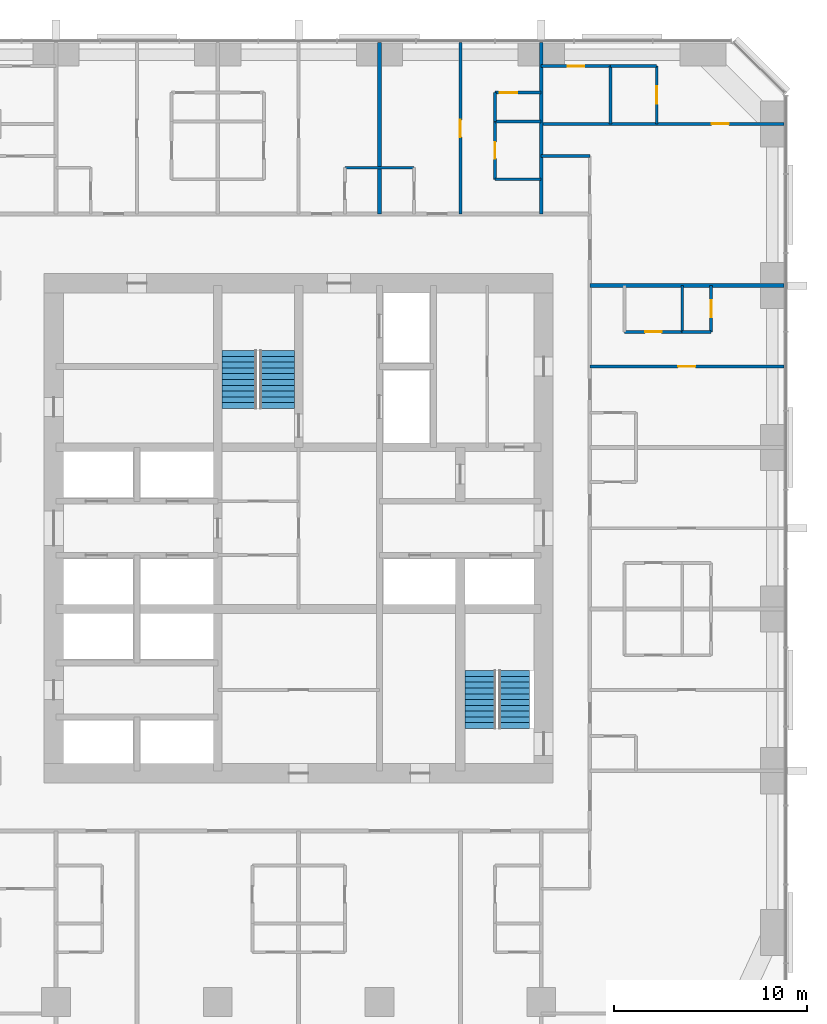
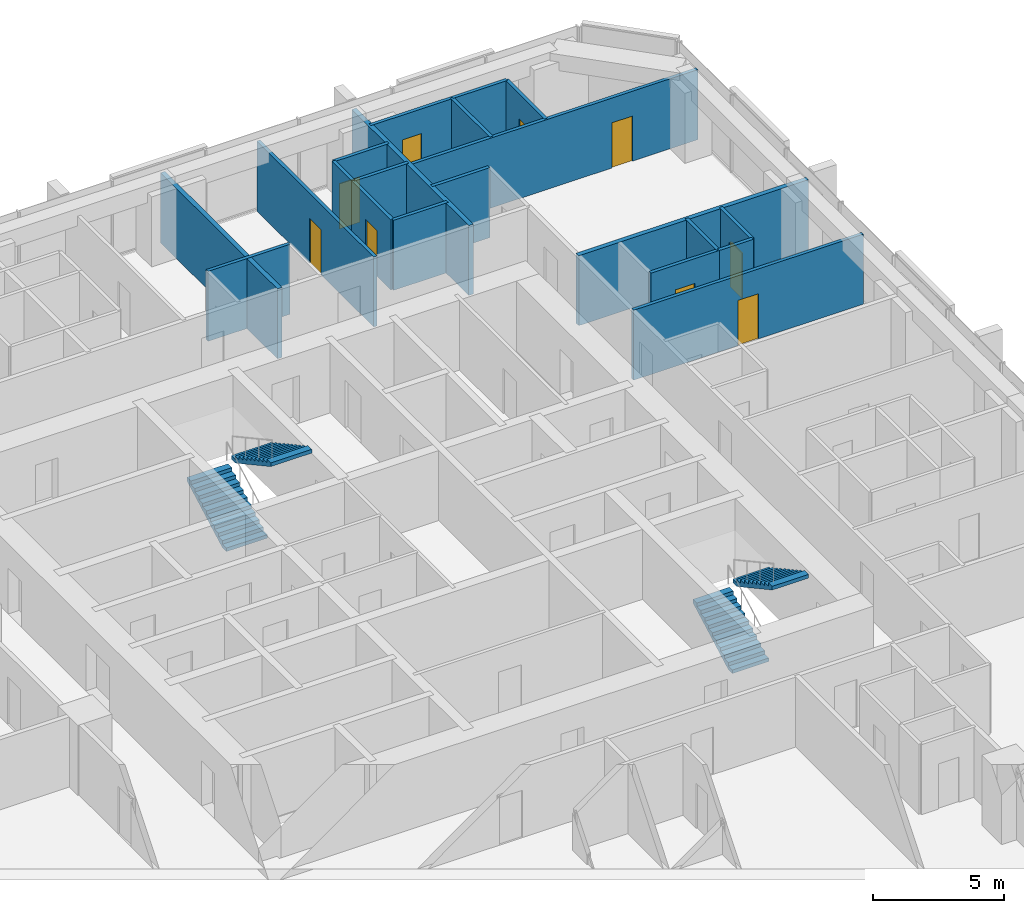
# One storey, part 13 of 14: 21 walls, 9 doors, 4 stair flights, 9 openings, 2 elements without a shape of their own.
"""IFC4 building model written with IfcOpenShell, lengths in metres."""

from ifc_helpers import new_model, si_unit, direction, frame, frame_2d, origin, place, context, subcontext, project, spatial, polyline, rectangle, outline, extrude, material, layer, layer_set, type_object, element, fill, aggregate, save


model = new_model("IFC4")

# Units and contexts
model_context = context("Model", 3, precision=1e-05, world=origin(), true_north=direction((0.0, 1.0)))
body_context = subcontext(model_context, "Body", "Model", "MODEL_VIEW")
ifc_project = project(units=[si_unit("LENGTHUNIT", "METRE"), si_unit("AREAUNIT", "SQUARE_METRE"), si_unit("VOLUMEUNIT", "CUBIC_METRE"), si_unit("PLANEANGLEUNIT", "RADIAN"), si_unit("MASSUNIT", "GRAM", prefix="KILO")], contexts=[model_context])

# Site, building, storey
site_placement = place(None, origin())
site = spatial("IfcSite", under=ifc_project, at=site_placement, CompositionType="ELEMENT")
building_placement = place(site_placement, origin())
building = spatial("IfcBuilding", under=site, at=building_placement, Name="Dunama Terrace Hotel", CompositionType="ELEMENT")
storey_placement = place(building_placement, frame((0.0, 0.0, 122.39990234375)))
storey = spatial("IfcBuildingStorey", under=building, at=storey_placement, Name="L31", CompositionType="ELEMENT", Elevation=122.39990234375)

# Wall, opening, door
ifc_material_1 = material(Name="Gypsum board partition", Category="masonry")
ifc_layer_1 = layer(ifc_material_1, 0.14990234375)
ifc_layer_set_1 = layer_set([ifc_layer_1], Name="Bathroom partition 150")
wall_type_1 = type_object("IfcWallType", Name="Bathroom partition 150", PredefinedType="PARTITIONING", material=ifc_layer_set_1)
wall_1_placement = place(storey_placement, frame((39.60009765625, 47.52490234375, 0.0), z_axis=(0.0, 0.0, 1.0), x_axis=(0.0, 1.0, 0.0)))
wall_1 = element("IfcWall", 1, at=wall_1_placement, inside=storey, type_object=wall_type_1, Name="Bathroom partition 150 L31", PredefinedType="PARTITIONING", context=body_context, shape_type="SweptSolid", body=[
    extrude(rectangle(XDim=3.0, YDim=0.14990234375, at=frame_2d((1.5, 0.0))), origin(), (0.0, 0.0, 1.0), 3.25),
])
opening_1_placement = place(wall_1_placement, frame((1.074951171875, 0.0, 0.0)))
opening_1 = element("IfcOpeningElement", 2, at=opening_1_placement, cuts=wall_1, Name="Opening L31-33-051", PredefinedType="OPENING", context=body_context, shape_type="SweptSolid", body=[
    extrude(rectangle(XDim=0.85009765625, YDim=2.10009765625, at=frame_2d((0.425048828125, 1.050048828125))), frame((0.0, 0.0849609375, 0.0), z_axis=(0.0, -1.0, 0.0), x_axis=(1.0, 0.0, 0.0)), (0.0, 0.0, 1.0), 0.169921875),
])
ifc_material_2 = material(Name="Timber door with steel frame", Category="steel")
door_type_1 = type_object("IfcDoorType", Name="Bathroom door 850", OperationType="SINGLE_SWING_LEFT", PredefinedType="DOOR", material=ifc_material_2)
door_1_placement = place(opening_1_placement, frame((0.85009765625, 0.0, 0.0), z_axis=(0.0, 0.0, 1.0), x_axis=(-1.0, 0.0, 0.0)))
door_1 = element("IfcDoor", 3, at=door_1_placement, inside=storey, type_object=door_type_1, Name="Door to en-suite bathroom L31-33-051, type D2", OperationType="SINGLE_SWING_LEFT", OverallHeight=2.10009765625, OverallWidth=0.85009765625, PredefinedType="DOOR", context=body_context, shape_type="SweptSolid", body=[
    extrude(rectangle(XDim=0.85009765625, YDim=2.10009765625, at=frame_2d((0.425048828125, 1.050048828125))), frame((0.0, 0.025146484375, 0.0), z_axis=(0.0, -1.0, 0.0), x_axis=(1.0, 0.0, 0.0)), (0.0, 0.0, 1.0), 0.050048828125),
])
fill(opening_1, door_1)

wall_2_placement = place(storey_placement, frame((46.324951171875, 39.60009765625, 0.0), z_axis=(0.0, 0.0, 1.0), x_axis=(1.0, 0.0, 0.0)))
wall_2 = element("IfcWall", 4, at=wall_2_placement, inside=storey, type_object=wall_type_1, Name="Bathroom partition 150 L31", PredefinedType="PARTITIONING", context=body_context, shape_type="SweptSolid", body=[
    extrude(rectangle(XDim=3.0, YDim=0.14990234375, at=frame_2d((1.5, 0.0))), origin(), (0.0, 0.0, 1.0), 3.25),
])
opening_2_placement = place(wall_2_placement, frame((1.074951171875, 0.0, 0.0)))
opening_2 = element("IfcOpeningElement", 5, at=opening_2_placement, cuts=wall_2, Name="Opening L31-33-036", PredefinedType="OPENING", context=body_context, shape_type="SweptSolid", body=[
    extrude(rectangle(XDim=0.85009765625, YDim=2.10009765625, at=frame_2d((0.425048828125, 1.050048828125))), frame((0.0, 0.0849609375, 0.0), z_axis=(0.0, -1.0, 0.0), x_axis=(1.0, 0.0, 0.0)), (0.0, 0.0, 1.0), 0.169921875),
])
door_2_placement = place(opening_2_placement, origin())
door_2 = element("IfcDoor", 6, at=door_2_placement, inside=storey, type_object=door_type_1, Name="Door to en-suite bathroom L31-33-036, type D2", OperationType="SINGLE_SWING_RIGHT", OverallHeight=2.10009765625, OverallWidth=0.85009765625, PredefinedType="DOOR", context=body_context, shape_type="SweptSolid", body=[
    extrude(rectangle(XDim=0.85009765625, YDim=2.10009765625, at=frame_2d((0.425048828125, 1.050048828125))), frame((0.0, 0.02490234375, 0.0), z_axis=(0.0, -1.0, 0.0), x_axis=(1.0, 0.0, 0.0)), (0.0, 0.0, 1.0), 0.050048828125),
])
fill(opening_2, door_2)

# Walls
wall_3_placement = place(storey_placement, frame((39.60009765625, 47.52490234375, 0.0), z_axis=(0.0, 0.0, 1.0), x_axis=(1.0, 0.0, 0.0)))
element("IfcWall", 7, at=wall_3_placement, inside=storey, type_object=wall_type_1, Name="Bathroom partition 150 L31", PredefinedType="PARTITIONING", context=body_context, shape_type="SweptSolid", body=[
    extrude(rectangle(XDim=2.39990234375, YDim=0.14990234375, at=frame_2d((1.199951171875, 0.0))), origin(), (0.0, 0.0, 1.0), 3.25),
])
wall_4_placement = place(storey_placement, frame((31.800048828125, 48.125, 0.0), z_axis=(0.0, 0.0, 1.0), x_axis=(1.0, 0.0, 0.0)))
element("IfcWall", 8, at=wall_4_placement, inside=storey, type_object=wall_type_1, Name="Bathroom partition 150 L31", PredefinedType="PARTITIONING", context=body_context, shape_type="SweptSolid", body=[
    extrude(rectangle(XDim=3.599853515625, YDim=0.14990234375, at=frame_2d((1.7998046875, 0.0))), origin(), (0.0, 0.0, 1.0), 3.25),
])
wall_5_placement = place(storey_placement, frame((42.0, 48.72509765625, 0.0), z_axis=(0.0, 0.0, 1.0), x_axis=(1.0, 0.0, 0.0)))
element("IfcWall", 9, at=wall_5_placement, inside=storey, type_object=wall_type_1, Name="Bathroom partition 150 L31", PredefinedType="PARTITIONING", context=body_context, shape_type="SweptSolid", body=[
    extrude(rectangle(XDim=2.52490234375, YDim=0.14990234375, at=frame_2d((1.262451171875, 0.0))), origin(), (0.0, 0.0, 1.0), 3.25),
])

# Wall, opening, door
wall_6_placement = place(storey_placement, frame((42.0, 53.39990234375, 0.0), z_axis=(0.0, 0.0, 1.0), x_axis=(1.0, 0.0, 0.0)))
wall_6 = element("IfcWall", 10, at=wall_6_placement, inside=storey, type_object=wall_type_1, Name="Bathroom partition 150 L31", PredefinedType="PARTITIONING", context=body_context, shape_type="SweptSolid", body=[
    extrude(rectangle(XDim=3.60009765625, YDim=0.14990234375, at=frame_2d((1.800048828125, 0.0))), origin(), (0.0, 0.0, 1.0), 3.25),
])
opening_3_placement = place(wall_6_placement, frame((1.375, 0.0, 0.0)))
opening_3 = element("IfcOpeningElement", 11, at=opening_3_placement, cuts=wall_6, Name="Opening L31-33-075", PredefinedType="OPENING", context=body_context, shape_type="SweptSolid", body=[
    extrude(rectangle(XDim=0.85009765625, YDim=2.10009765625, at=frame_2d((0.425048828125, 1.050048828125))), frame((0.0, 0.0849609375, 0.0), z_axis=(0.0, -1.0, 0.0), x_axis=(1.0, 0.0, 0.0)), (0.0, 0.0, 1.0), 0.169921875),
])
door_3_placement = place(opening_3_placement, frame((0.85009765625, 0.0, 0.0), z_axis=(0.0, 0.0, 1.0), x_axis=(-1.0, 0.0, 0.0)))
door_3 = element("IfcDoor", 12, at=door_3_placement, inside=storey, type_object=door_type_1, Name="Door to en-suite bathroom L31-33-075, type D2", OperationType="SINGLE_SWING_RIGHT", OverallHeight=2.10009765625, OverallWidth=0.85009765625, PredefinedType="DOOR", context=body_context, shape_type="SweptSolid", body=[
    extrude(rectangle(XDim=0.85009765625, YDim=2.10009765625, at=frame_2d((0.425048828125, 1.050048828125))), frame((0.0, 0.025146484375, 0.0), z_axis=(0.0, -1.0, 0.0), x_axis=(1.0, 0.0, 0.0)), (0.0, 0.0, 1.0), 0.050048828125),
])
fill(opening_3, door_3)

# Walls
ifc_material_3 = material(Name="Concrete blockwork", Category="masonry")
ifc_layer_2 = layer(ifc_material_3, 0.199951171875)
ifc_layer_set_2 = layer_set([ifc_layer_2], Name="Party wall 200")
wall_type_2 = type_object("IfcWallType", Name="Party wall 200", PredefinedType="PARTITIONING", material=ifc_layer_set_2)
for number, where, z_axis, x_axis, name in (
    (13, (33.60009765625, 45.72509765625, 0.0), (0.0, 0.0, 1.0), (0.0, 1.0, 0.0), "Party wall 200 L31"),
    (14, (42.0, 45.72509765625, 0.0), (0.0, 0.0, 1.0), (0.0, 1.0, 0.0), "Party wall 200 L31"),
):
    element("IfcWall", number, at=place(storey_placement, frame(where, z_axis=z_axis, x_axis=x_axis)), inside=storey, type_object=wall_type_2, Name=name, PredefinedType="PARTITIONING", context=body_context, shape_type="SweptSolid", body=[
        extrude(rectangle(XDim=8.892822265625, YDim=0.199951171875, at=frame_2d((4.4462890625, 0.0))), origin(), (0.0, 0.0, 1.0), 3.25),
    ])
wall_7_placement = place(storey_placement, frame((44.52490234375, 42.0, 0.0), z_axis=(0.0, 0.0, 1.0), x_axis=(1.0, 0.0, 0.0)))
element("IfcWall", 15, at=wall_7_placement, inside=storey, type_object=wall_type_2, Name="Party wall 200 L31", PredefinedType="PARTITIONING", context=body_context, shape_type="SweptSolid", body=[
    extrude(rectangle(XDim=10.093017578125, YDim=0.199951171875, at=frame_2d((5.04638671875, 0.0))), origin(), (0.0, 0.0, 1.0), 3.25),
])

# Wall, opening, door
ifc_material_4 = material(Name="Gypsum board partition", Category="masonry")
ifc_layer_3 = layer(ifc_material_4, 0.14990234375)
ifc_layer_set_3 = layer_set([ifc_layer_3], Name="Room partition 150")
wall_type_3 = type_object("IfcWallType", Name="Room partition 150", PredefinedType="PARTITIONING", material=ifc_layer_set_3)
wall_8_placement = place(storey_placement, frame((37.800048828125, 45.72509765625, 0.0), z_axis=(0.0, 0.0, 1.0), x_axis=(0.0, 1.0, 0.0)))
wall_8 = element("IfcWall", 16, at=wall_8_placement, inside=storey, type_object=wall_type_3, Name="Room partition 150 L31", PredefinedType="PARTITIONING", context=body_context, shape_type="SweptSolid", body=[
    extrude(rectangle(XDim=8.892822265625, YDim=0.14990234375, at=frame_2d((4.4462890625, 0.0))), origin(), (0.0, 0.0, 1.0), 3.25),
])
opening_4_placement = place(wall_8_placement, frame((3.987060546875, 0.0, 0.0)))
opening_4 = element("IfcOpeningElement", 17, at=opening_4_placement, cuts=wall_8, Name="Opening L31-33-050", PredefinedType="OPENING", context=body_context, shape_type="SweptSolid", body=[
    extrude(rectangle(XDim=0.89990234375, YDim=2.10009765625, at=frame_2d((0.449951171875, 1.050048828125))), frame((0.0, 0.0849609375, 0.0), z_axis=(0.0, -1.0, 0.0), x_axis=(1.0, 0.0, 0.0)), (0.0, 0.0, 1.0), 0.169921875),
])
ifc_material_5 = material(Name="Timber door with steel frame", Category="steel")
door_type_2 = type_object("IfcDoorType", Name="Suite internal door 900", OperationType="SINGLE_SWING_LEFT", PredefinedType="DOOR", material=ifc_material_5)
door_4_placement = place(opening_4_placement, frame((0.89990234375, 0.0, 0.0), z_axis=(0.0, 0.0, 1.0), x_axis=(-1.0, 0.0, 0.0)))
door_4 = element("IfcDoor", 18, at=door_4_placement, inside=storey, type_object=door_type_2, Name="Door to premier suite bedroom L31-33-050, type D16", OperationType="SINGLE_SWING_RIGHT", OverallHeight=2.10009765625, OverallWidth=0.89990234375, PredefinedType="DOOR", context=body_context, shape_type="SweptSolid", body=[
    extrude(rectangle(XDim=0.89990234375, YDim=2.10009765625, at=frame_2d((0.449951171875, 1.050048828125))), frame((0.0, 0.025146484375, 0.0), z_axis=(0.0, -1.0, 0.0), x_axis=(1.0, 0.0, 0.0)), (0.0, 0.0, 1.0), 0.050048828125),
])
fill(opening_4, door_4)

# Walls
wall_9_placement = place(storey_placement, frame((39.60009765625, 50.52490234375, 0.0), z_axis=(0.0, 0.0, 1.0), x_axis=(0.0, 1.0, 0.0)))
element("IfcWall", 19, at=wall_9_placement, inside=storey, type_object=wall_type_3, Name="Room partition 150 L31", PredefinedType="PARTITIONING", context=body_context, shape_type="SweptSolid", body=[
    extrude(rectangle(XDim=1.5, YDim=0.14990234375, at=frame_2d((0.75, 0.0))), origin(), (0.0, 0.0, 1.0), 3.25),
])
wall_10_placement = place(storey_placement, frame((45.60009765625, 50.39990234375, 0.0), z_axis=(0.0, 0.0, 1.0), x_axis=(0.0, 1.0, 0.0)))
element("IfcWall", 20, at=wall_10_placement, inside=storey, type_object=wall_type_3, Name="Room partition 150 L31", PredefinedType="PARTITIONING", context=body_context, shape_type="SweptSolid", body=[
    extrude(rectangle(XDim=3.0, YDim=0.14990234375, at=frame_2d((1.5, 0.0))), origin(), (0.0, 0.0, 1.0), 3.25),
])

# Wall, opening, door
wall_11_placement = place(storey_placement, frame((48.0, 50.39990234375, 0.0), z_axis=(0.0, 0.0, 1.0), x_axis=(0.0, 1.0, 0.0)))
wall_11 = element("IfcWall", 21, at=wall_11_placement, inside=storey, type_object=wall_type_3, Name="Room partition 150 L31", PredefinedType="PARTITIONING", context=body_context, shape_type="SweptSolid", body=[
    extrude(rectangle(XDim=3.0, YDim=0.14990234375, at=frame_2d((1.5, 0.0))), origin(), (0.0, 0.0, 1.0), 3.25),
])
opening_5_placement = place(wall_11_placement, frame((1.050048828125, 0.0, 0.0)))
opening_5 = element("IfcOpeningElement", 22, at=opening_5_placement, cuts=wall_11, Name="Opening L31-33-076", PredefinedType="OPENING", context=body_context, shape_type="SweptSolid", body=[
    extrude(rectangle(XDim=0.89990234375, YDim=2.10009765625, at=frame_2d((0.449951171875, 1.050048828125))), frame((0.0, 0.0849609375, 0.0), z_axis=(0.0, -1.0, 0.0), x_axis=(1.0, 0.0, 0.0)), (0.0, 0.0, 1.0), 0.169921875),
])
door_5_placement = place(opening_5_placement, origin())
door_5 = element("IfcDoor", 23, at=door_5_placement, inside=storey, type_object=door_type_2, Name="Door to dressing room L31-33-076, type D16", OperationType="SINGLE_SWING_LEFT", OverallHeight=2.10009765625, OverallWidth=0.89990234375, PredefinedType="DOOR", context=body_context, shape_type="SweptSolid", body=[
    extrude(rectangle(XDim=0.89990234375, YDim=2.10009765625, at=frame_2d((0.449951171875, 1.050048828125))), frame((0.0, 0.02490234375, 0.0), z_axis=(0.0, -1.0, 0.0), x_axis=(1.0, 0.0, 0.0)), (0.0, 0.0, 1.0), 0.050048828125),
])
fill(opening_5, door_5)

# Wall
wall_12_placement = place(storey_placement, frame((49.324951171875, 39.60009765625, 0.0), z_axis=(0.0, 0.0, 1.0), x_axis=(0.0, 1.0, 0.0)))
element("IfcWall", 24, at=wall_12_placement, inside=storey, type_object=wall_type_3, Name="Room partition 150 L31", PredefinedType="PARTITIONING", context=body_context, shape_type="SweptSolid", body=[
    extrude(rectangle(XDim=2.39990234375, YDim=0.14990234375, at=frame_2d((1.199951171875, 0.0))), origin(), (0.0, 0.0, 1.0), 3.25),
])

# Wall, opening, door
wall_13_placement = place(storey_placement, frame((50.824951171875, 39.60009765625, 0.0), z_axis=(0.0, 0.0, 1.0), x_axis=(0.0, 1.0, 0.0)))
wall_13 = element("IfcWall", 25, at=wall_13_placement, inside=storey, type_object=wall_type_3, Name="Room partition 150 L31", PredefinedType="PARTITIONING", context=body_context, shape_type="SweptSolid", body=[
    extrude(rectangle(XDim=2.39990234375, YDim=0.14990234375, at=frame_2d((1.199951171875, 0.0))), origin(), (0.0, 0.0, 1.0), 3.25),
])
opening_6_placement = place(wall_13_placement, frame((0.75, 0.0, 0.0)))
opening_6 = element("IfcOpeningElement", 26, at=opening_6_placement, cuts=wall_13, Name="Opening L31-33-037", PredefinedType="OPENING", context=body_context, shape_type="SweptSolid", body=[
    extrude(rectangle(XDim=0.89990234375, YDim=2.10009765625, at=frame_2d((0.449951171875, 1.050048828125))), frame((0.0, 0.0849609375, 0.0), z_axis=(0.0, -1.0, 0.0), x_axis=(1.0, 0.0, 0.0)), (0.0, 0.0, 1.0), 0.169921875),
])
door_6_placement = place(opening_6_placement, origin())
door_6 = element("IfcDoor", 27, at=door_6_placement, inside=storey, type_object=door_type_2, Name="Door to walk-in wardrobe L31-33-037, type D16", OperationType="SINGLE_SWING_LEFT", OverallHeight=2.10009765625, OverallWidth=0.89990234375, PredefinedType="DOOR", context=body_context, shape_type="SweptSolid", body=[
    extrude(rectangle(XDim=0.89990234375, YDim=2.10009765625, at=frame_2d((0.449951171875, 1.050048828125))), frame((0.0, 0.02490234375, 0.0), z_axis=(0.0, -1.0, 0.0), x_axis=(1.0, 0.0, 0.0)), (0.0, 0.0, 1.0), 0.050048828125),
])
fill(opening_6, door_6)

wall_14_placement = place(storey_placement, frame((44.52490234375, 37.800048828125, 0.0), z_axis=(0.0, 0.0, 1.0), x_axis=(1.0, 0.0, 0.0)))
wall_14 = element("IfcWall", 28, at=wall_14_placement, inside=storey, type_object=wall_type_3, Name="Room partition 150 L31", PredefinedType="PARTITIONING", context=body_context, shape_type="SweptSolid", body=[
    extrude(rectangle(XDim=10.093017578125, YDim=0.14990234375, at=frame_2d((5.04638671875, 0.0))), origin(), (0.0, 0.0, 1.0), 3.25),
])
opening_7_placement = place(wall_14_placement, frame((4.5869140625, 0.0, 0.0)))
opening_7 = element("IfcOpeningElement", 29, at=opening_7_placement, cuts=wall_14, Name="Opening L31-33-035", PredefinedType="OPENING", context=body_context, shape_type="SweptSolid", body=[
    extrude(rectangle(XDim=0.89990234375, YDim=2.10009765625, at=frame_2d((0.449951171875, 1.050048828125))), frame((0.0, 0.0849609375, 0.0), z_axis=(0.0, -1.0, 0.0), x_axis=(1.0, 0.0, 0.0)), (0.0, 0.0, 1.0), 0.169921875),
])
door_7_placement = place(opening_7_placement, origin())
door_7 = element("IfcDoor", 30, at=door_7_placement, inside=storey, type_object=door_type_2, Name="Door to executive suite bedroom L31-33-035, type D16", OperationType="SINGLE_SWING_LEFT", OverallHeight=2.10009765625, OverallWidth=0.89990234375, PredefinedType="DOOR", context=body_context, shape_type="SweptSolid", body=[
    extrude(rectangle(XDim=0.89990234375, YDim=2.10009765625, at=frame_2d((0.449951171875, 1.050048828125))), frame((0.0, 0.02490234375, 0.0), z_axis=(0.0, -1.0, 0.0), x_axis=(1.0, 0.0, 0.0)), (0.0, 0.0, 1.0), 0.050048828125),
])
fill(opening_7, door_7)

# Wall
wall_15_placement = place(storey_placement, frame((49.324951171875, 39.60009765625, 0.0), z_axis=(0.0, 0.0, 1.0), x_axis=(1.0, 0.0, 0.0)))
element("IfcWall", 31, at=wall_15_placement, inside=storey, type_object=wall_type_3, Name="Room partition 150 L31", PredefinedType="PARTITIONING", context=body_context, shape_type="SweptSolid", body=[
    extrude(rectangle(XDim=1.5, YDim=0.14990234375, at=frame_2d((0.75, 0.0))), origin(), (0.0, 0.0, 1.0), 3.25),
])

# Wall, opening, door
wall_16_placement = place(storey_placement, frame((42.0, 50.39990234375, 0.0), z_axis=(0.0, 0.0, 1.0), x_axis=(1.0, 0.0, 0.0)))
wall_16 = element("IfcWall", 32, at=wall_16_placement, inside=storey, type_object=wall_type_3, Name="Room partition 150 L31", PredefinedType="PARTITIONING", context=body_context, shape_type="SweptSolid", body=[
    extrude(rectangle(XDim=12.617919921875, YDim=0.14990234375, at=frame_2d((6.30908203125, 0.0))), origin(), (0.0, 0.0, 1.0), 3.25),
])
opening_8_placement = place(wall_16_placement, frame((8.85009765625, 0.0, 0.0)))
opening_8 = element("IfcOpeningElement", 33, at=opening_8_placement, cuts=wall_16, Name="Opening L31-33-074", PredefinedType="OPENING", context=body_context, shape_type="SweptSolid", body=[
    extrude(rectangle(XDim=0.89990234375, YDim=2.10009765625, at=frame_2d((0.449951171875, 1.050048828125))), frame((0.0, 0.0849609375, 0.0), z_axis=(0.0, -1.0, 0.0), x_axis=(1.0, 0.0, 0.0)), (0.0, 0.0, 1.0), 0.169921875),
])
door_8_placement = place(opening_8_placement, origin())
door_8 = element("IfcDoor", 34, at=door_8_placement, inside=storey, type_object=door_type_2, Name="Door to corner suite bedroom L31-33-074, type D16", OperationType="SINGLE_SWING_RIGHT", OverallHeight=2.10009765625, OverallWidth=0.89990234375, PredefinedType="DOOR", context=body_context, shape_type="SweptSolid", body=[
    extrude(rectangle(XDim=0.89990234375, YDim=2.10009765625, at=frame_2d((0.449951171875, 1.050048828125))), frame((0.0, 0.02490234375, 0.0), z_axis=(0.0, -1.0, 0.0), x_axis=(1.0, 0.0, 0.0)), (0.0, 0.0, 1.0), 0.050048828125),
])
fill(opening_8, door_8)

# Wall
wall_17_placement = place(storey_placement, frame((39.60009765625, 50.52490234375, 0.0), z_axis=(0.0, 0.0, 1.0), x_axis=(1.0, 0.0, 0.0)))
element("IfcWall", 35, at=wall_17_placement, inside=storey, type_object=wall_type_3, Name="Room partition 150 L31", PredefinedType="PARTITIONING", context=body_context, shape_type="SweptSolid", body=[
    extrude(rectangle(XDim=2.39990234375, YDim=0.14990234375, at=frame_2d((1.199951171875, 0.0))), origin(), (0.0, 0.0, 1.0), 3.25),
])

# Wall, opening, door
wall_18_placement = place(storey_placement, frame((39.60009765625, 52.02490234375, 0.0), z_axis=(0.0, 0.0, 1.0), x_axis=(1.0, 0.0, 0.0)))
wall_18 = element("IfcWall", 36, at=wall_18_placement, inside=storey, type_object=wall_type_3, Name="Room partition 150 L31", PredefinedType="PARTITIONING", context=body_context, shape_type="SweptSolid", body=[
    extrude(rectangle(XDim=2.39990234375, YDim=0.14990234375, at=frame_2d((1.199951171875, 0.0))), origin(), (0.0, 0.0, 1.0), 3.25),
])
opening_9_placement = place(wall_18_placement, frame((0.25, 0.0, 0.0)))
opening_9 = element("IfcOpeningElement", 37, at=opening_9_placement, cuts=wall_18, Name="Opening L31-33-052", PredefinedType="OPENING", context=body_context, shape_type="SweptSolid", body=[
    extrude(rectangle(XDim=0.89990234375, YDim=2.10009765625, at=frame_2d((0.449951171875, 1.050048828125))), frame((0.0, 0.0849609375, 0.0), z_axis=(0.0, -1.0, 0.0), x_axis=(1.0, 0.0, 0.0)), (0.0, 0.0, 1.0), 0.169921875),
])
door_9_placement = place(opening_9_placement, frame((0.89990234375, 0.0, 0.0), z_axis=(0.0, 0.0, 1.0), x_axis=(-1.0, 0.0, 0.0)))
door_9 = element("IfcDoor", 38, at=door_9_placement, inside=storey, type_object=door_type_2, Name="Door to walk-in wardrobe L31-33-052, type D16", OperationType="SINGLE_SWING_RIGHT", OverallHeight=2.10009765625, OverallWidth=0.89990234375, PredefinedType="DOOR", context=body_context, shape_type="SweptSolid", body=[
    extrude(rectangle(XDim=0.89990234375, YDim=2.10009765625, at=frame_2d((0.449951171875, 1.050048828125))), frame((0.0, 0.025146484375, 0.0), z_axis=(0.0, -1.0, 0.0), x_axis=(1.0, 0.0, 0.0)), (0.0, 0.0, 1.0), 0.050048828125),
])
fill(opening_9, door_9)

# Wall
wall_19_placement = place(storey_placement, frame((45.60009765625, 53.39990234375, 0.0), z_axis=(0.0, 0.0, 1.0), x_axis=(1.0, 0.0, 0.0)))
element("IfcWall", 39, at=wall_19_placement, inside=storey, type_object=wall_type_3, Name="Room partition 150 L31", PredefinedType="PARTITIONING", context=body_context, shape_type="SweptSolid", body=[
    extrude(rectangle(XDim=2.39990234375, YDim=0.14990234375, at=frame_2d((1.199951171875, 0.0))), origin(), (0.0, 0.0, 1.0), 3.25),
])

# Stair, stair flights
ifc_material_6 = material(Name="Concrete C40/50", Category="concrete")
stair_type_1 = type_object("IfcStairType", Name="Stair ST1-3600-1800", PredefinedType="HALF_TURN_STAIR", material=ifc_material_6)
stair_1_placement = place(storey_placement, origin())
stair_1 = element("IfcStair", 40, at=stair_1_placement, inside=storey, type_object=stair_type_1, Name="Stair ST1 L31", PredefinedType="HALF_TURN_STAIR")
ifc_material_7 = material(Name="Concrete C40/50", Category="concrete")
stair_flight_type_1 = type_object("IfcStairFlightType", Name="Stair flight ST1-3600-1800", PredefinedType="STRAIGHT", material=ifc_material_7)
stair_flight_1_placement = place(storey_placement, frame((26.324951171875, 35.625, 0.0), z_axis=(0.0, 0.0, 1.0), x_axis=(0.0, 1.0, 0.0)))
stair_flight_1 = element("IfcStairFlight", 41, at=stair_flight_1_placement, type_object=stair_flight_type_1, Name="ST1 flight 1", NumberOfRisers=11, NumberOfTreads=10, PredefinedType="STRAIGHT", RiserHeight=0.163636364, TreadLength=0.3, context=body_context, shape_type="SweptSolid", body=[
    extrude(outline(polyline([(0.0, 0.0), (0.0, 0.16357421875), (0.300048828125, 0.16357421875), (0.300048828125, 0.327392578125), (0.60009765625, 0.327392578125), (0.60009765625, 0.490966796875), (0.89990234375, 0.490966796875), (0.89990234375, 0.654541015625), (1.199951171875, 0.654541015625), (1.199951171875, 0.818115234375), (1.5, 0.818115234375), (1.5, 0.98193359375), (1.800048828125, 0.98193359375), (1.800048828125, 1.1455078125), (2.10009765625, 1.1455078125), (2.10009765625, 1.30908203125), (2.39990234375, 1.30908203125), (2.39990234375, 1.47265625), (2.699951171875, 1.47265625), (2.699951171875, 1.636474609375), (3.0, 1.636474609375), (3.0, 1.800048828125), (3.0, 1.465576171875), (0.31298828125, 0.0), (0.0, 0.0)])), frame((0.0, 0.89990234375, 0.0), z_axis=(0.0, -1.0, 0.0), x_axis=(1.0, 0.0, 0.0)), (0.0, 0.0, 1.0), 1.800048828125),
])
stair_flight_2_placement = place(storey_placement, frame((28.27490234375, 38.625, 1.800048828125), z_axis=(0.0, 0.0, 1.0), x_axis=(0.0, -1.0, 0.0)))
stair_flight_2 = element("IfcStairFlight", 42, at=stair_flight_2_placement, type_object=stair_flight_type_1, Name="ST1 flight 2", NumberOfRisers=11, NumberOfTreads=10, PredefinedType="STRAIGHT", RiserHeight=0.163636364, TreadLength=0.3, context=body_context, shape_type="SweptSolid", body=[
    extrude(outline(polyline([(0.0, 0.0), (0.0, 0.16357421875), (0.300048828125, 0.16357421875), (0.300048828125, 0.327392578125), (0.60009765625, 0.327392578125), (0.60009765625, 0.490966796875), (0.89990234375, 0.490966796875), (0.89990234375, 0.654541015625), (1.199951171875, 0.654541015625), (1.199951171875, 0.818115234375), (1.5, 0.818115234375), (1.5, 0.98193359375), (1.800048828125, 0.98193359375), (1.800048828125, 1.1455078125), (2.10009765625, 1.1455078125), (2.10009765625, 1.30908203125), (2.39990234375, 1.30908203125), (2.39990234375, 1.47265625), (2.699951171875, 1.47265625), (2.699951171875, 1.636474609375), (3.0, 1.636474609375), (3.0, 1.800048828125), (3.0, 1.465576171875), (0.31298828125, 0.0), (0.0, 0.0)])), frame((0.0, 0.89990234375, 0.0), z_axis=(0.0, -1.0, 0.0), x_axis=(1.0, 0.0, 0.0)), (0.0, 0.0, 1.0), 1.800048828125),
])
aggregate(stair_1, [stair_flight_1, stair_flight_2])

ifc_material_8 = material(Name="Concrete C40/50", Category="concrete")
stair_type_2 = type_object("IfcStairType", Name="Stair ST2-3600-1600", PredefinedType="HALF_TURN_STAIR", material=ifc_material_8)
stair_2_placement = place(storey_placement, origin())
stair_2 = element("IfcStair", 43, at=stair_2_placement, inside=storey, type_object=stair_type_2, Name="Stair ST2 L31", PredefinedType="HALF_TURN_STAIR")
ifc_material_9 = material(Name="Concrete C40/50", Category="concrete")
stair_flight_type_2 = type_object("IfcStairFlightType", Name="Stair flight ST2-3600-1600", PredefinedType="STRAIGHT", material=ifc_material_9)
stair_flight_3_placement = place(storey_placement, frame((38.85009765625, 19.0, 0.0), z_axis=(0.0, 0.0, 1.0), x_axis=(0.0, 1.0, 0.0)))
stair_flight_3 = element("IfcStairFlight", 44, at=stair_flight_3_placement, type_object=stair_flight_type_2, Name="ST2 flight 1", NumberOfRisers=11, NumberOfTreads=10, PredefinedType="STRAIGHT", RiserHeight=0.163636364, TreadLength=0.3, context=body_context, shape_type="SweptSolid", body=[
    extrude(outline(polyline([(0.0, 0.0), (0.0, 0.16357421875), (0.300048828125, 0.16357421875), (0.300048828125, 0.327392578125), (0.60009765625, 0.327392578125), (0.60009765625, 0.490966796875), (0.89990234375, 0.490966796875), (0.89990234375, 0.654541015625), (1.199951171875, 0.654541015625), (1.199951171875, 0.818115234375), (1.5, 0.818115234375), (1.5, 0.98193359375), (1.800048828125, 0.98193359375), (1.800048828125, 1.1455078125), (2.10009765625, 1.1455078125), (2.10009765625, 1.30908203125), (2.39990234375, 1.30908203125), (2.39990234375, 1.47265625), (2.699951171875, 1.47265625), (2.699951171875, 1.636474609375), (3.0, 1.636474609375), (3.0, 1.800048828125), (3.0, 1.465576171875), (0.31298828125, 0.0), (0.0, 0.0)])), frame((0.0, 0.800048828125, 0.0), z_axis=(0.0, -1.0, 0.0), x_axis=(1.0, 0.0, 0.0)), (0.0, 0.0, 1.0), 1.60009765625),
])
stair_flight_4_placement = place(storey_placement, frame((40.60009765625, 22.0, 1.800048828125), z_axis=(0.0, 0.0, 1.0), x_axis=(0.0, -1.0, 0.0)))
stair_flight_4 = element("IfcStairFlight", 45, at=stair_flight_4_placement, type_object=stair_flight_type_2, Name="ST2 flight 2", NumberOfRisers=11, NumberOfTreads=10, PredefinedType="STRAIGHT", RiserHeight=0.163636364, TreadLength=0.3, context=body_context, shape_type="SweptSolid", body=[
    extrude(outline(polyline([(0.0, 0.0), (0.0, 0.16357421875), (0.300048828125, 0.16357421875), (0.300048828125, 0.327392578125), (0.60009765625, 0.327392578125), (0.60009765625, 0.490966796875), (0.89990234375, 0.490966796875), (0.89990234375, 0.654541015625), (1.199951171875, 0.654541015625), (1.199951171875, 0.818115234375), (1.5, 0.818115234375), (1.5, 0.98193359375), (1.800048828125, 0.98193359375), (1.800048828125, 1.1455078125), (2.10009765625, 1.1455078125), (2.10009765625, 1.30908203125), (2.39990234375, 1.30908203125), (2.39990234375, 1.47265625), (2.699951171875, 1.47265625), (2.699951171875, 1.636474609375), (3.0, 1.636474609375), (3.0, 1.800048828125), (3.0, 1.465576171875), (0.31298828125, 0.0), (0.0, 0.0)])), frame((0.0, 0.800048828125, 0.0), z_axis=(0.0, -1.0, 0.0), x_axis=(1.0, 0.0, 0.0)), (0.0, 0.0, 1.0), 1.60009765625),
])
aggregate(stair_2, [stair_flight_3, stair_flight_4])

save(model, "model.ifc")
